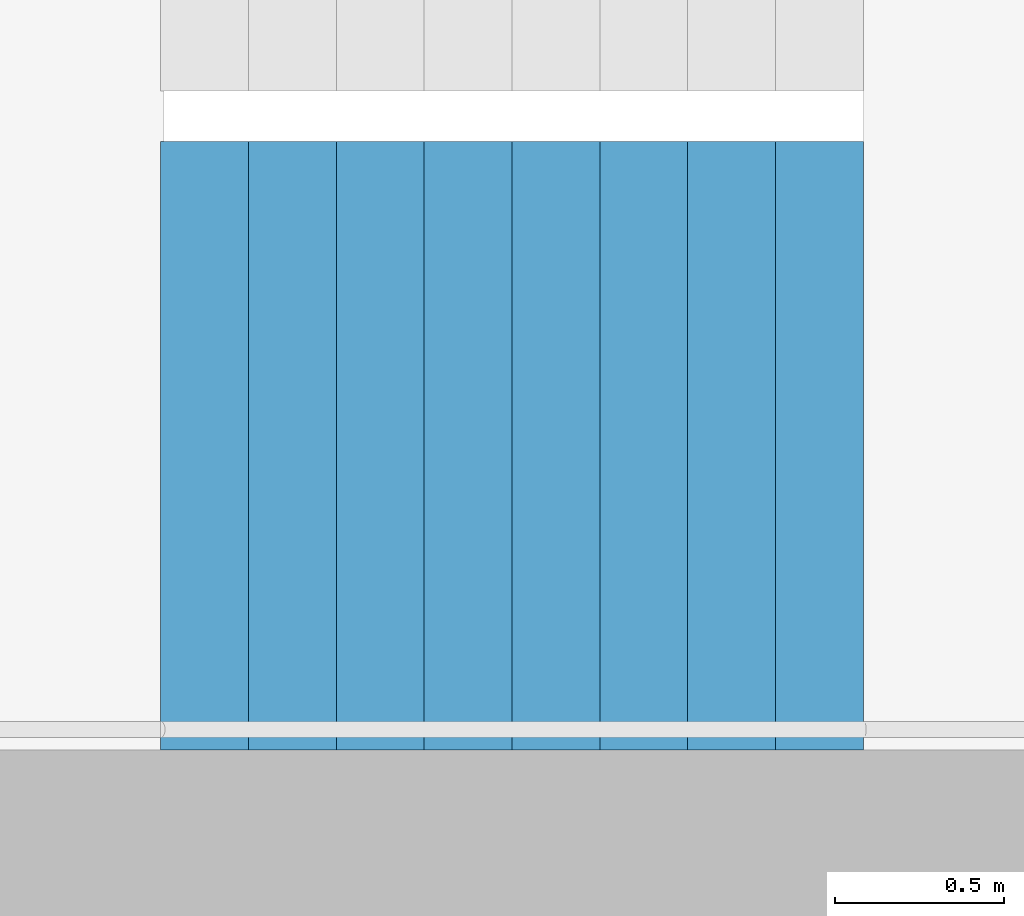
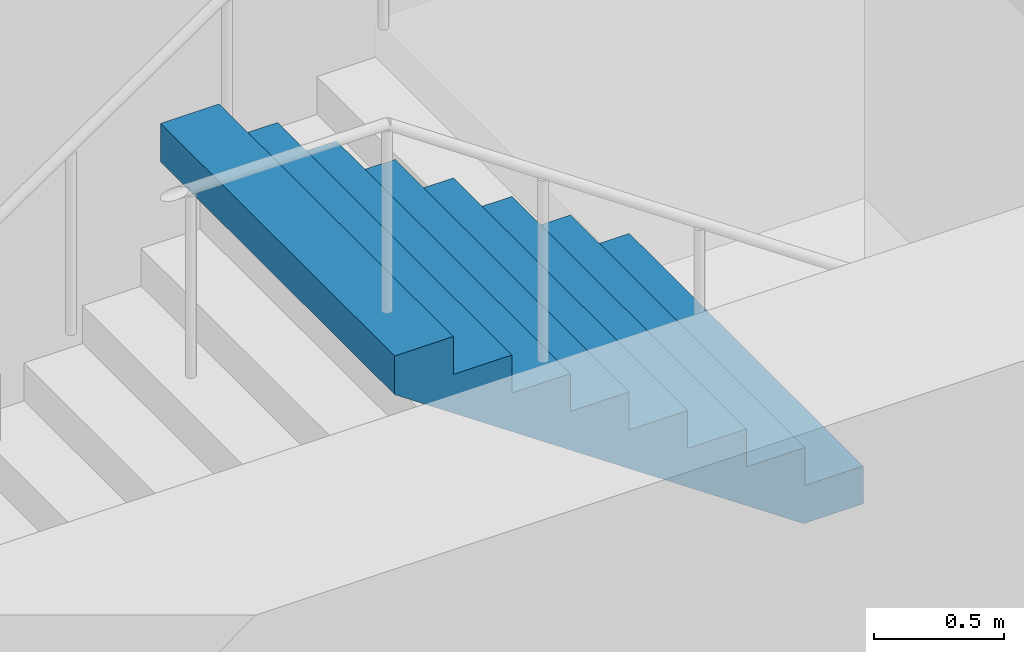
# One storey, part 23 of 32: 1 stair flight, 1 element without a shape of its own.
"""IFC4 building model written with IfcOpenShell, lengths in metres."""

from ifc_helpers import new_model, si_unit, direction, frame, origin, place, context, subcontext, project, spatial, triangles, material, type_object, element, aggregate, save


model = new_model("IFC4")

# Units and contexts
model_context = context("Model", 3, precision=1e-05, world=origin(), true_north=direction((0.0, 1.0)))
body_context = subcontext(model_context, "Body", "Model", "MODEL_VIEW")
ifc_project = project(units=[si_unit("LENGTHUNIT", "METRE"), si_unit("AREAUNIT", "SQUARE_METRE"), si_unit("VOLUMEUNIT", "CUBIC_METRE"), si_unit("PLANEANGLEUNIT", "RADIAN"), si_unit("MASSUNIT", "GRAM", prefix="KILO")], contexts=[model_context])

# Site, building, storey
site_placement = place(None, origin())
site = spatial("IfcSite", under=ifc_project, at=site_placement, CompositionType="ELEMENT")
building_placement = place(site_placement, origin())
building = spatial("IfcBuilding", under=site, at=building_placement, Name="Hakoniwa Tower and Hamabe Station Hall", CompositionType="ELEMENT")
storey_placement = place(building_placement, frame((0.0, 0.0, 150.199951171875)))
storey = spatial("IfcBuildingStorey", under=building, at=storey_placement, Name="L42", CompositionType="ELEMENT", Elevation=150.199951171875)

# Stair, stair flight
ifc_material_1 = material(Name="Concrete C40", Category="concrete")
stair_type = type_object("IfcStairType", Name="ESCAPE STAIR 1800", PredefinedType="HALF_TURN_STAIR", material=ifc_material_1)
stair_placement = place(storey_placement, origin())
stair = element("IfcStair", 1, at=stair_placement, inside=storey, type_object=stair_type, Name="Escape stair ST-4 L42", PredefinedType="HALF_TURN_STAIR")
ifc_material_2 = material(Name="Concrete C40", Category="concrete")
stair_flight_type = type_object("IfcStairFlightType", Name="STAIR FLIGHT 1800", PredefinedType="STRAIGHT", material=ifc_material_2)
stair_flight_placement = place(storey_placement, frame((25.47998046875, -6.60009765625, 1.60009765625), z_axis=(0.0, 0.0, 1.0), x_axis=(-1.0, 0.0, 0.0)))
stair_flight = element("IfcStairFlight", 2, at=stair_flight_placement, type_object=stair_flight_type, Name="ST-4 flight 2", NumberOfRisers=9, NumberOfTreads=8, PredefinedType="STRAIGHT", RiserHeight=0.177777778, TreadLength=0.26, context=body_context, shape_type="Tessellation", body=[
    triangles([(0.0, 0.89990234375, 0.0), (0.260009765625, 0.89990234375, 0.0), (0.265625, 0.89990234375, 0.0), (0.52001953125, 0.89990234375, 0.174072265625), (0.780029296875, 0.89990234375, 0.351806640625), (1.0400390625, 0.89990234375, 0.529541015625), (1.300048828125, 0.89990234375, 0.707275390625), (1.56005859375, 0.89990234375, 0.885009765625), (1.820068359375, 0.89990234375, 1.062744140625), (2.080078125, 0.89990234375, 1.24072265625), (2.080078125, 0.89990234375, 1.422119140625), (1.820068359375, 0.89990234375, 1.422119140625), (1.820068359375, 0.89990234375, 1.244384765625), (1.56005859375, 0.89990234375, 1.244384765625), (1.56005859375, 0.89990234375, 1.066650390625), (1.300048828125, 0.89990234375, 1.066650390625), (1.300048828125, 0.89990234375, 0.888916015625), (1.0400390625, 0.89990234375, 0.888916015625), (1.0400390625, 0.89990234375, 0.711181640625), (0.780029296875, 0.89990234375, 0.711181640625), (0.780029296875, 0.89990234375, 0.533447265625), (0.52001953125, 0.89990234375, 0.533447265625), (0.52001953125, 0.89990234375, 0.35546875), (0.265625, 0.89990234375, 0.35546875), (0.260009765625, 0.89990234375, 0.35546875), (0.260009765625, 0.89990234375, 0.177734375), (0.0, 0.89990234375, 0.177734375), (0.0, 0.06005859375, 0.0), (0.260009765625, 0.06005859375, 0.0), (0.265625, 0.06005859375, 0.0), (0.52001953125, 0.06005859375, 0.174072265625), (0.780029296875, 0.06005859375, 0.351806640625), (1.0400390625, 0.06005859375, 0.529541015625), (1.300048828125, 0.06005859375, 0.707275390625), (1.56005859375, 0.06005859375, 0.885009765625), (1.820068359375, 0.06005859375, 1.062744140625), (2.080078125, 0.06005859375, 1.24072265625), (2.080078125, 0.06005859375, 1.422119140625), (1.820068359375, 0.06005859375, 1.422119140625), (1.820068359375, 0.06005859375, 1.244384765625), (1.56005859375, 0.06005859375, 1.244384765625), (1.56005859375, 0.06005859375, 1.066650390625), (1.300048828125, 0.06005859375, 1.066650390625), (1.300048828125, 0.06005859375, 0.888916015625), (1.0400390625, 0.06005859375, 0.888916015625), (1.0400390625, 0.06005859375, 0.711181640625), (0.780029296875, 0.06005859375, 0.711181640625), (0.780029296875, 0.06005859375, 0.533447265625), (0.52001953125, 0.06005859375, 0.533447265625), (0.52001953125, 0.06005859375, 0.35546875), (0.265625, 0.06005859375, 0.35546875), (0.260009765625, 0.06005859375, 0.35546875), (0.260009765625, 0.06005859375, 0.177734375), (0.0, 0.06005859375, 0.177734375), (0.0, 0.04296875, 0.0), (0.260009765625, 0.04296875, 0.0), (0.265625, 0.04296875, 0.0), (0.52001953125, 0.04296875, 0.174072265625), (0.780029296875, 0.04296875, 0.351806640625), (1.0400390625, 0.04296875, 0.529541015625), (1.300048828125, 0.04296875, 0.707275390625), (1.56005859375, 0.04296875, 0.885009765625), (1.820068359375, 0.04296875, 1.062744140625), (2.080078125, 0.04296875, 1.24072265625), (2.080078125, 0.04296875, 1.422119140625), (1.820068359375, 0.04296875, 1.422119140625), (1.820068359375, 0.04296875, 1.244384765625), (1.56005859375, 0.04296875, 1.244384765625), (1.56005859375, 0.04296875, 1.066650390625), (1.300048828125, 0.04296875, 1.066650390625), (1.300048828125, 0.04296875, 0.888916015625), (1.0400390625, 0.04296875, 0.888916015625), (1.0400390625, 0.04296875, 0.711181640625), (0.780029296875, 0.04296875, 0.711181640625), (0.780029296875, 0.04296875, 0.533447265625), (0.52001953125, 0.04296875, 0.533447265625), (0.52001953125, 0.04296875, 0.35546875), (0.265625, 0.04296875, 0.35546875), (0.260009765625, 0.04296875, 0.35546875), (0.260009765625, 0.04296875, 0.177734375), (0.0, 0.04296875, 0.177734375), (0.0, 0.025634765625, 0.0), (0.260009765625, 0.025634765625, 0.0), (0.265625, 0.025634765625, 0.0), (0.52001953125, 0.025634765625, 0.174072265625), (0.780029296875, 0.025634765625, 0.351806640625), (1.0400390625, 0.025634765625, 0.529541015625), (1.300048828125, 0.025634765625, 0.707275390625), (1.56005859375, 0.025634765625, 0.885009765625), (1.820068359375, 0.025634765625, 1.062744140625), (2.080078125, 0.025634765625, 1.24072265625), (2.080078125, 0.025634765625, 1.422119140625), (1.820068359375, 0.025634765625, 1.422119140625), (1.820068359375, 0.025634765625, 1.244384765625), (1.56005859375, 0.025634765625, 1.244384765625), (1.56005859375, 0.025634765625, 1.066650390625), (1.300048828125, 0.025634765625, 1.066650390625), (1.300048828125, 0.025634765625, 0.888916015625), (1.0400390625, 0.025634765625, 0.888916015625), (1.0400390625, 0.025634765625, 0.711181640625), (0.780029296875, 0.025634765625, 0.711181640625), (0.780029296875, 0.025634765625, 0.533447265625), (0.52001953125, 0.025634765625, 0.533447265625), (0.52001953125, 0.025634765625, 0.35546875), (0.265625, 0.025634765625, 0.35546875), (0.260009765625, 0.025634765625, 0.35546875), (0.260009765625, 0.025634765625, 0.177734375), (0.0, 0.025634765625, 0.177734375), (0.0, 0.008544921875, 0.0), (0.260009765625, 0.008544921875, 0.0), (0.265625, 0.008544921875, 0.0), (0.52001953125, 0.008544921875, 0.174072265625), (0.780029296875, 0.008544921875, 0.351806640625), (1.0400390625, 0.008544921875, 0.529541015625), (1.300048828125, 0.008544921875, 0.707275390625), (1.56005859375, 0.008544921875, 0.885009765625), (1.820068359375, 0.008544921875, 1.062744140625), (2.080078125, 0.008544921875, 1.24072265625), (2.080078125, 0.008544921875, 1.422119140625), (1.820068359375, 0.008544921875, 1.422119140625), (1.820068359375, 0.008544921875, 1.244384765625), (1.56005859375, 0.008544921875, 1.244384765625), (1.56005859375, 0.008544921875, 1.066650390625), (1.300048828125, 0.008544921875, 1.066650390625), (1.300048828125, 0.008544921875, 0.888916015625), (1.0400390625, 0.008544921875, 0.888916015625), (1.0400390625, 0.008544921875, 0.711181640625), (0.780029296875, 0.008544921875, 0.711181640625), (0.780029296875, 0.008544921875, 0.533447265625), (0.52001953125, 0.008544921875, 0.533447265625), (0.52001953125, 0.008544921875, 0.35546875), (0.265625, 0.008544921875, 0.35546875), (0.260009765625, 0.008544921875, 0.35546875), (0.260009765625, 0.008544921875, 0.177734375), (0.0, 0.008544921875, 0.177734375), (0.0, -0.008544921875, 0.0), (0.260009765625, -0.008544921875, 0.0), (0.265625, -0.008544921875, 0.0), (0.52001953125, -0.008544921875, 0.174072265625), (0.780029296875, -0.008544921875, 0.351806640625), (1.0400390625, -0.008544921875, 0.529541015625), (1.300048828125, -0.008544921875, 0.707275390625), (1.56005859375, -0.008544921875, 0.885009765625), (1.820068359375, -0.008544921875, 1.062744140625), (2.080078125, -0.008544921875, 1.24072265625), (2.080078125, -0.008544921875, 1.422119140625), (1.820068359375, -0.008544921875, 1.422119140625), (1.820068359375, -0.008544921875, 1.244384765625), (1.56005859375, -0.008544921875, 1.244384765625), (1.56005859375, -0.008544921875, 1.066650390625), (1.300048828125, -0.008544921875, 1.066650390625), (1.300048828125, -0.008544921875, 0.888916015625), (1.0400390625, -0.008544921875, 0.888916015625), (1.0400390625, -0.008544921875, 0.711181640625), (0.780029296875, -0.008544921875, 0.711181640625), (0.780029296875, -0.008544921875, 0.533447265625), (0.52001953125, -0.008544921875, 0.533447265625), (0.52001953125, -0.008544921875, 0.35546875), (0.265625, -0.008544921875, 0.35546875), (0.260009765625, -0.008544921875, 0.35546875), (0.260009765625, -0.008544921875, 0.177734375), (0.0, -0.008544921875, 0.177734375), (0.0, -0.025634765625, 0.0), (0.260009765625, -0.025634765625, 0.0), (0.265625, -0.025634765625, 0.0), (0.52001953125, -0.025634765625, 0.174072265625), (0.780029296875, -0.025634765625, 0.351806640625), (1.0400390625, -0.025634765625, 0.529541015625), (1.300048828125, -0.025634765625, 0.707275390625), (1.56005859375, -0.025634765625, 0.885009765625), (1.820068359375, -0.025634765625, 1.062744140625), (2.080078125, -0.025634765625, 1.24072265625), (2.080078125, -0.025634765625, 1.422119140625), (1.820068359375, -0.025634765625, 1.422119140625), (1.820068359375, -0.025634765625, 1.244384765625), (1.56005859375, -0.025634765625, 1.244384765625), (1.56005859375, -0.025634765625, 1.066650390625), (1.300048828125, -0.025634765625, 1.066650390625), (1.300048828125, -0.025634765625, 0.888916015625), (1.0400390625, -0.025634765625, 0.888916015625), (1.0400390625, -0.025634765625, 0.711181640625), (0.780029296875, -0.025634765625, 0.711181640625), (0.780029296875, -0.025634765625, 0.533447265625), (0.52001953125, -0.025634765625, 0.533447265625), (0.52001953125, -0.025634765625, 0.35546875), (0.265625, -0.025634765625, 0.35546875), (0.260009765625, -0.025634765625, 0.35546875), (0.260009765625, -0.025634765625, 0.177734375), (0.0, -0.025634765625, 0.177734375), (0.0, -0.04296875, 0.0), (0.260009765625, -0.04296875, 0.0), (0.265625, -0.04296875, 0.0), (0.52001953125, -0.04296875, 0.174072265625), (0.780029296875, -0.04296875, 0.351806640625), (1.0400390625, -0.04296875, 0.529541015625), (1.300048828125, -0.04296875, 0.707275390625), (1.56005859375, -0.04296875, 0.885009765625), (1.820068359375, -0.04296875, 1.062744140625), (2.080078125, -0.04296875, 1.24072265625), (2.080078125, -0.04296875, 1.422119140625), (1.820068359375, -0.04296875, 1.422119140625), (1.820068359375, -0.04296875, 1.244384765625), (1.56005859375, -0.04296875, 1.244384765625), (1.56005859375, -0.04296875, 1.066650390625), (1.300048828125, -0.04296875, 1.066650390625), (1.300048828125, -0.04296875, 0.888916015625), (1.0400390625, -0.04296875, 0.888916015625), (1.0400390625, -0.04296875, 0.711181640625), (0.780029296875, -0.04296875, 0.711181640625), (0.780029296875, -0.04296875, 0.533447265625), (0.52001953125, -0.04296875, 0.533447265625), (0.52001953125, -0.04296875, 0.35546875), (0.265625, -0.04296875, 0.35546875), (0.260009765625, -0.04296875, 0.35546875), (0.260009765625, -0.04296875, 0.177734375), (0.0, -0.04296875, 0.177734375), (0.0, -0.06005859375, 0.0), (0.260009765625, -0.06005859375, 0.0), (0.265625, -0.06005859375, 0.0), (0.52001953125, -0.06005859375, 0.174072265625), (0.780029296875, -0.06005859375, 0.351806640625), (1.0400390625, -0.06005859375, 0.529541015625), (1.300048828125, -0.06005859375, 0.707275390625), (1.56005859375, -0.06005859375, 0.885009765625), (1.820068359375, -0.06005859375, 1.062744140625), (2.080078125, -0.06005859375, 1.24072265625), (2.080078125, -0.06005859375, 1.422119140625), (1.820068359375, -0.06005859375, 1.422119140625), (1.820068359375, -0.06005859375, 1.244384765625), (1.56005859375, -0.06005859375, 1.244384765625), (1.56005859375, -0.06005859375, 1.066650390625), (1.300048828125, -0.06005859375, 1.066650390625), (1.300048828125, -0.06005859375, 0.888916015625), (1.0400390625, -0.06005859375, 0.888916015625), (1.0400390625, -0.06005859375, 0.711181640625), (0.780029296875, -0.06005859375, 0.711181640625), (0.780029296875, -0.06005859375, 0.533447265625), (0.52001953125, -0.06005859375, 0.533447265625), (0.52001953125, -0.06005859375, 0.35546875), (0.265625, -0.06005859375, 0.35546875), (0.260009765625, -0.06005859375, 0.35546875), (0.260009765625, -0.06005859375, 0.177734375), (0.0, -0.06005859375, 0.177734375), (0.0, -0.89990234375, 0.0), (0.260009765625, -0.89990234375, 0.0), (0.265625, -0.89990234375, 0.0), (0.52001953125, -0.89990234375, 0.174072265625), (0.780029296875, -0.89990234375, 0.351806640625), (1.0400390625, -0.89990234375, 0.529541015625), (1.300048828125, -0.89990234375, 0.707275390625), (1.56005859375, -0.89990234375, 0.885009765625), (1.820068359375, -0.89990234375, 1.062744140625), (2.080078125, -0.89990234375, 1.24072265625), (2.080078125, -0.89990234375, 1.422119140625), (1.820068359375, -0.89990234375, 1.422119140625), (1.820068359375, -0.89990234375, 1.244384765625), (1.56005859375, -0.89990234375, 1.244384765625), (1.56005859375, -0.89990234375, 1.066650390625), (1.300048828125, -0.89990234375, 1.066650390625), (1.300048828125, -0.89990234375, 0.888916015625), (1.0400390625, -0.89990234375, 0.888916015625), (1.0400390625, -0.89990234375, 0.711181640625), (0.780029296875, -0.89990234375, 0.711181640625), (0.780029296875, -0.89990234375, 0.533447265625), (0.52001953125, -0.89990234375, 0.533447265625), (0.52001953125, -0.89990234375, 0.35546875), (0.265625, -0.89990234375, 0.35546875), (0.260009765625, -0.89990234375, 0.35546875), (0.260009765625, -0.89990234375, 0.177734375), (0.0, -0.89990234375, 0.177734375)], [[2, 27, 26], [245, 269, 270], [2, 1, 27], [245, 270, 244], [3, 25, 24], [246, 267, 268], [3, 26, 25], [246, 268, 269], [3, 2, 26], [246, 269, 245], [4, 24, 23], [247, 266, 267], [4, 3, 24], [247, 267, 246], [5, 22, 21], [248, 264, 265], [5, 23, 22], [248, 265, 266], [5, 4, 23], [248, 266, 247], [6, 20, 19], [249, 262, 263], [6, 21, 20], [249, 263, 264], [6, 5, 21], [249, 264, 248], [7, 18, 17], [250, 260, 261], [7, 19, 18], [250, 261, 262], [7, 6, 19], [250, 262, 249], [8, 16, 15], [251, 258, 259], [8, 17, 16], [251, 259, 260], [8, 7, 17], [251, 260, 250], [9, 14, 13], [252, 256, 257], [9, 15, 14], [252, 257, 258], [9, 8, 15], [252, 258, 251], [10, 12, 11], [253, 254, 255], [10, 13, 12], [253, 255, 256], [10, 9, 13], [253, 256, 252], [1, 2, 29], [1, 29, 28], [28, 29, 56], [28, 56, 55], [55, 56, 83], [55, 83, 82], [82, 83, 110], [82, 110, 109], [109, 110, 137], [109, 137, 136], [136, 137, 164], [136, 164, 163], [163, 164, 191], [163, 191, 190], [190, 191, 218], [190, 218, 217], [217, 218, 245], [217, 245, 244], [2, 3, 30], [2, 30, 29], [29, 30, 57], [29, 57, 56], [56, 57, 84], [56, 84, 83], [83, 84, 111], [83, 111, 110], [110, 111, 138], [110, 138, 137], [137, 138, 165], [137, 165, 164], [164, 165, 192], [164, 192, 191], [191, 192, 219], [191, 219, 218], [218, 219, 246], [218, 246, 245], [3, 4, 31], [3, 31, 30], [30, 31, 58], [30, 58, 57], [57, 58, 85], [57, 85, 84], [84, 85, 112], [84, 112, 111], [111, 112, 139], [111, 139, 138], [138, 139, 166], [138, 166, 165], [165, 166, 193], [165, 193, 192], [192, 193, 220], [192, 220, 219], [219, 220, 247], [219, 247, 246], [4, 5, 32], [4, 32, 31], [31, 32, 59], [31, 59, 58], [58, 59, 86], [58, 86, 85], [85, 86, 113], [85, 113, 112], [112, 113, 140], [112, 140, 139], [139, 140, 167], [139, 167, 166], [166, 167, 194], [166, 194, 193], [193, 194, 221], [193, 221, 220], [220, 221, 248], [220, 248, 247], [5, 6, 33], [5, 33, 32], [32, 33, 60], [32, 60, 59], [59, 60, 87], [59, 87, 86], [86, 87, 114], [86, 114, 113], [113, 114, 141], [113, 141, 140], [140, 141, 168], [140, 168, 167], [167, 168, 195], [167, 195, 194], [194, 195, 222], [194, 222, 221], [221, 222, 249], [221, 249, 248], [6, 7, 34], [6, 34, 33], [33, 34, 61], [33, 61, 60], [60, 61, 88], [60, 88, 87], [87, 88, 115], [87, 115, 114], [114, 115, 142], [114, 142, 141], [141, 142, 169], [141, 169, 168], [168, 169, 196], [168, 196, 195], [195, 196, 223], [195, 223, 222], [222, 223, 250], [222, 250, 249], [7, 8, 35], [7, 35, 34], [34, 35, 62], [34, 62, 61], [61, 62, 89], [61, 89, 88], [88, 89, 116], [88, 116, 115], [115, 116, 143], [115, 143, 142], [142, 143, 170], [142, 170, 169], [169, 170, 197], [169, 197, 196], [196, 197, 224], [196, 224, 223], [223, 224, 251], [223, 251, 250], [8, 9, 36], [8, 36, 35], [35, 36, 63], [35, 63, 62], [62, 63, 90], [62, 90, 89], [89, 90, 117], [89, 117, 116], [116, 117, 144], [116, 144, 143], [143, 144, 171], [143, 171, 170], [170, 171, 198], [170, 198, 197], [197, 198, 225], [197, 225, 224], [224, 225, 252], [224, 252, 251], [9, 10, 37], [9, 37, 36], [36, 37, 64], [36, 64, 63], [63, 64, 91], [63, 91, 90], [90, 91, 118], [90, 118, 117], [117, 118, 145], [117, 145, 144], [144, 145, 172], [144, 172, 171], [171, 172, 199], [171, 199, 198], [198, 199, 226], [198, 226, 225], [225, 226, 253], [225, 253, 252], [10, 11, 38], [10, 38, 37], [37, 38, 65], [37, 65, 64], [64, 65, 92], [64, 92, 91], [91, 92, 119], [91, 119, 118], [118, 119, 146], [118, 146, 145], [145, 146, 173], [145, 173, 172], [172, 173, 200], [172, 200, 199], [199, 200, 227], [199, 227, 226], [226, 227, 254], [226, 254, 253], [11, 12, 39], [11, 39, 38], [38, 39, 66], [38, 66, 65], [65, 66, 93], [65, 93, 92], [92, 93, 120], [92, 120, 119], [119, 120, 147], [119, 147, 146], [146, 147, 174], [146, 174, 173], [173, 174, 201], [173, 201, 200], [200, 201, 228], [200, 228, 227], [227, 228, 255], [227, 255, 254], [12, 13, 40], [12, 40, 39], [39, 40, 67], [39, 67, 66], [66, 67, 94], [66, 94, 93], [93, 94, 121], [93, 121, 120], [120, 121, 148], [120, 148, 147], [147, 148, 175], [147, 175, 174], [174, 175, 202], [174, 202, 201], [201, 202, 229], [201, 229, 228], [228, 229, 256], [228, 256, 255], [13, 14, 41], [13, 41, 40], [40, 41, 68], [40, 68, 67], [67, 68, 95], [67, 95, 94], [94, 95, 122], [94, 122, 121], [121, 122, 149], [121, 149, 148], [148, 149, 176], [148, 176, 175], [175, 176, 203], [175, 203, 202], [202, 203, 230], [202, 230, 229], [229, 230, 257], [229, 257, 256], [14, 15, 42], [14, 42, 41], [41, 42, 69], [41, 69, 68], [68, 69, 96], [68, 96, 95], [95, 96, 123], [95, 123, 122], [122, 123, 150], [122, 150, 149], [149, 150, 177], [149, 177, 176], [176, 177, 204], [176, 204, 203], [203, 204, 231], [203, 231, 230], [230, 231, 258], [230, 258, 257], [15, 16, 43], [15, 43, 42], [42, 43, 70], [42, 70, 69], [69, 70, 97], [69, 97, 96], [96, 97, 124], [96, 124, 123], [123, 124, 151], [123, 151, 150], [150, 151, 178], [150, 178, 177], [177, 178, 205], [177, 205, 204], [204, 205, 232], [204, 232, 231], [231, 232, 259], [231, 259, 258], [16, 17, 44], [16, 44, 43], [43, 44, 71], [43, 71, 70], [70, 71, 98], [70, 98, 97], [97, 98, 125], [97, 125, 124], [124, 125, 152], [124, 152, 151], [151, 152, 179], [151, 179, 178], [178, 179, 206], [178, 206, 205], [205, 206, 233], [205, 233, 232], [232, 233, 260], [232, 260, 259], [17, 18, 45], [17, 45, 44], [44, 45, 72], [44, 72, 71], [71, 72, 99], [71, 99, 98], [98, 99, 126], [98, 126, 125], [125, 126, 153], [125, 153, 152], [152, 153, 180], [152, 180, 179], [179, 180, 207], [179, 207, 206], [206, 207, 234], [206, 234, 233], [233, 234, 261], [233, 261, 260], [18, 19, 46], [18, 46, 45], [45, 46, 73], [45, 73, 72], [72, 73, 100], [72, 100, 99], [99, 100, 127], [99, 127, 126], [126, 127, 154], [126, 154, 153], [153, 154, 181], [153, 181, 180], [180, 181, 208], [180, 208, 207], [207, 208, 235], [207, 235, 234], [234, 235, 262], [234, 262, 261], [19, 20, 47], [19, 47, 46], [46, 47, 74], [46, 74, 73], [73, 74, 101], [73, 101, 100], [100, 101, 128], [100, 128, 127], [127, 128, 155], [127, 155, 154], [154, 155, 182], [154, 182, 181], [181, 182, 209], [181, 209, 208], [208, 209, 236], [208, 236, 235], [235, 236, 263], [235, 263, 262], [20, 21, 48], [20, 48, 47], [47, 48, 75], [47, 75, 74], [74, 75, 102], [74, 102, 101], [101, 102, 129], [101, 129, 128], [128, 129, 156], [128, 156, 155], [155, 156, 183], [155, 183, 182], [182, 183, 210], [182, 210, 209], [209, 210, 237], [209, 237, 236], [236, 237, 264], [236, 264, 263], [21, 22, 49], [21, 49, 48], [48, 49, 76], [48, 76, 75], [75, 76, 103], [75, 103, 102], [102, 103, 130], [102, 130, 129], [129, 130, 157], [129, 157, 156], [156, 157, 184], [156, 184, 183], [183, 184, 211], [183, 211, 210], [210, 211, 238], [210, 238, 237], [237, 238, 265], [237, 265, 264], [22, 23, 50], [22, 50, 49], [49, 50, 77], [49, 77, 76], [76, 77, 104], [76, 104, 103], [103, 104, 131], [103, 131, 130], [130, 131, 158], [130, 158, 157], [157, 158, 185], [157, 185, 184], [184, 185, 212], [184, 212, 211], [211, 212, 239], [211, 239, 238], [238, 239, 266], [238, 266, 265], [23, 24, 51], [23, 51, 50], [50, 51, 78], [50, 78, 77], [77, 78, 105], [77, 105, 104], [104, 105, 132], [104, 132, 131], [131, 132, 159], [131, 159, 158], [158, 159, 186], [158, 186, 185], [185, 186, 213], [185, 213, 212], [212, 213, 240], [212, 240, 239], [239, 240, 267], [239, 267, 266], [24, 25, 52], [24, 52, 51], [51, 52, 79], [51, 79, 78], [78, 79, 106], [78, 106, 105], [105, 106, 133], [105, 133, 132], [132, 133, 160], [132, 160, 159], [159, 160, 187], [159, 187, 186], [186, 187, 214], [186, 214, 213], [213, 214, 241], [213, 241, 240], [240, 241, 268], [240, 268, 267], [25, 26, 53], [25, 53, 52], [52, 53, 80], [52, 80, 79], [79, 80, 107], [79, 107, 106], [106, 107, 134], [106, 134, 133], [133, 134, 161], [133, 161, 160], [160, 161, 188], [160, 188, 187], [187, 188, 215], [187, 215, 214], [214, 215, 242], [214, 242, 241], [241, 242, 269], [241, 269, 268], [26, 27, 54], [26, 54, 53], [53, 54, 81], [53, 81, 80], [80, 81, 108], [80, 108, 107], [107, 108, 135], [107, 135, 134], [134, 135, 162], [134, 162, 161], [161, 162, 189], [161, 189, 188], [188, 189, 216], [188, 216, 215], [215, 216, 243], [215, 243, 242], [242, 243, 270], [242, 270, 269], [27, 1, 28], [27, 28, 54], [54, 28, 55], [54, 55, 81], [81, 55, 82], [81, 82, 108], [108, 82, 109], [108, 109, 135], [135, 109, 136], [135, 136, 162], [162, 136, 163], [162, 163, 189], [189, 163, 190], [189, 190, 216], [216, 190, 217], [216, 217, 243], [243, 217, 244], [243, 244, 270]], closed=True),
])
aggregate(stair, [stair_flight])

save(model, "model.ifc")
